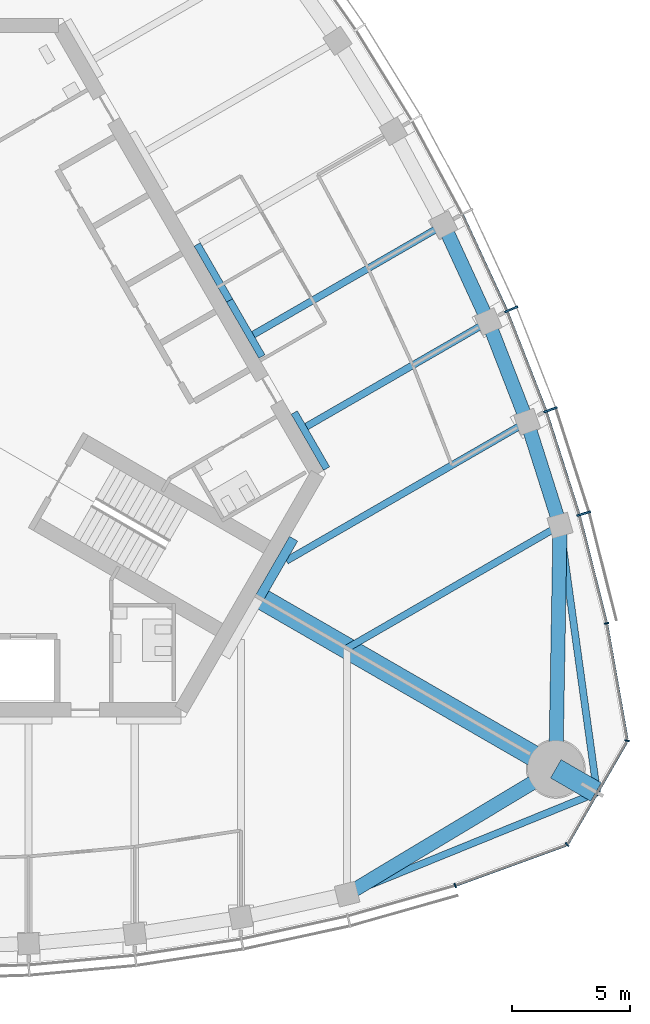
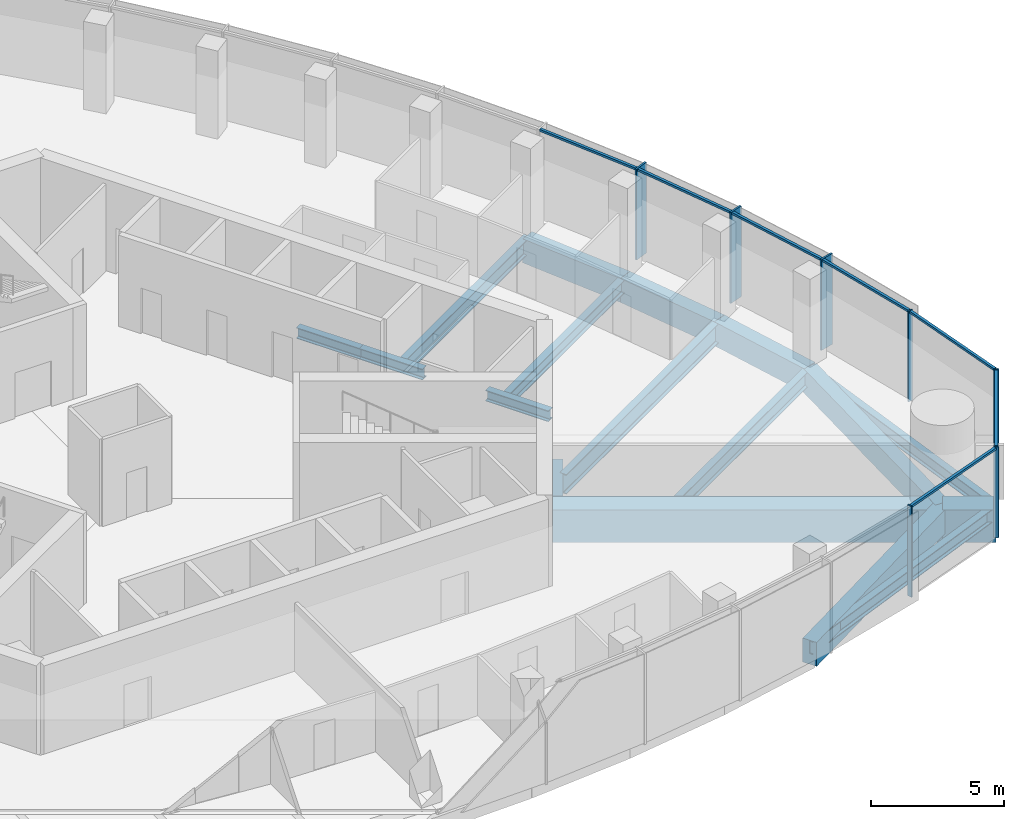
# One storey, part 4 of 16: 17 beams, 14 members, 2 elements without a shape of their own.
"""IFC4 building model written with IfcOpenShell, lengths in metres."""

import ifcopenshell
import ifcopenshell.guid

model = None  # the IFC model being written
_history = None  # IfcOwnerHistory: only IFC2X3 demands one
_inside = {}  # id of a spatial element -> (the spatial element, [elements in it])
_under = {}  # id of a project, library or spatial element -> (it, [spatial elements below it])
_declared = {}  # id of a project -> (the project, [libraries it declares])
_typed = {}  # id of a type object -> (the type object, [elements of that type])
_made_of = {}  # id of a material, layer set ... -> (it, [elements and type objects made of it])


def new_model(schema):
    """Start an empty IFC model of exactly this schema.

    Asked for "IFC4X3", IfcOpenShell would pick the latest addendum, in which some entities
    have other attributes; the version numbers below select the first issue.
    IFC2X3 requires an IfcOwnerHistory on every rooted entity: one is made here for all.
    """
    global model, _history
    if schema == "IFC4X3":
        model = ifcopenshell.file(schema_version=(4, 3, 0, 0))
    else:
        model = ifcopenshell.file(schema=schema)
    _inside.clear()
    _under.clear()
    _declared.clear()
    _typed.clear()
    _made_of.clear()
    _history = None
    if model.schema == "IFC2X3":
        org = make("IfcOrganization", Name="unknown")
        user = make(
            "IfcPersonAndOrganization",
            ThePerson=make("IfcPerson", FamilyName="unknown"),
            TheOrganization=org,
        )
        app = make(
            "IfcApplication",
            ApplicationDeveloper=org,
            Version="unknown",
            ApplicationFullName="unknown",
            ApplicationIdentifier="unknown",
        )
        _history = make(
            "IfcOwnerHistory",
            OwningUser=user,
            OwningApplication=app,
            ChangeAction="ADDED",
            CreationDate=0,
        )
    return model


def make(cls, **values):
    """One entity of the class cls with the attributes given. An attribute that is None is left unset."""
    return model.create_entity(
        cls, **{name: value for name, value in values.items() if value is not None}
    )


def rooted(cls, **values):
    """An entity with a GlobalId (a new one), such as an element, a storey or a relation."""
    return make(cls, GlobalId=ifcopenshell.guid.new(), OwnerHistory=_history, **values)


def si_unit(unit_type, name, prefix=None):
    """IfcSIUnit, for example si_unit("LENGTHUNIT", "METRE", prefix="MILLI")."""
    return make("IfcSIUnit", UnitType=unit_type, Prefix=prefix, Name=name)


def assignment(units):
    """IfcUnitAssignment: the units of a project."""
    return None if units is None else make("IfcUnitAssignment", Units=units)


def point(xyz):
    """IfcCartesianPoint."""
    return None if xyz is None else make("IfcCartesianPoint", Coordinates=xyz)


def direction(xyz):
    """IfcDirection."""
    return None if xyz is None else make("IfcDirection", DirectionRatios=xyz)


def frame(location, z_axis=None, x_axis=None):
    """IfcAxis2Placement3D, a coordinate frame: its origin and axes. An axis left out is left unset."""
    return make(
        "IfcAxis2Placement3D",
        Location=point(location),
        Axis=direction(z_axis),
        RefDirection=direction(x_axis),
    )


def frame_2d(location, x_axis=None):
    """IfcAxis2Placement2D, a coordinate frame in the plane: its origin and x axis."""
    return make(
        "IfcAxis2Placement2D", Location=point(location), RefDirection=direction(x_axis)
    )


def origin():
    """The frame at (0, 0, 0) with its axes left unset."""
    return frame((0.0, 0.0, 0.0))


def origin_2d():
    """The frame at (0, 0) in the plane with its x axis left unset."""
    return frame_2d((0.0, 0.0))


def place(relative_to, where):
    """IfcLocalPlacement: puts the frame where relative to a parent placement (None: the world)."""
    return make(
        "IfcLocalPlacement", PlacementRelTo=relative_to, RelativePlacement=where
    )


def context(
    kind, dimensions, precision=None, world=None, true_north=None, identifier=None
):
    """IfcGeometricRepresentationContext, for example the 3D "Model" context."""
    return make(
        "IfcGeometricRepresentationContext",
        ContextIdentifier=identifier,
        ContextType=kind,
        CoordinateSpaceDimension=dimensions,
        Precision=precision,
        WorldCoordinateSystem=world,
        TrueNorth=true_north,
    )


def subcontext(parent, identifier, kind, view, scale=None):
    """IfcGeometricRepresentationSubContext, for example "Body" below "Model"."""
    return make(
        "IfcGeometricRepresentationSubContext",
        ContextIdentifier=identifier,
        ContextType=kind,
        ParentContext=parent,
        TargetScale=scale,
        TargetView=view,
    )


def project(units=None, contexts=None):
    """IfcProject with its units and contexts."""
    return rooted(
        "IfcProject",
        Name="project",
        RepresentationContexts=contexts,
        UnitsInContext=assignment(units),
    )


def spatial(cls, under=None, at=None, **own):
    """A site, building, storey or space (cls), placed at a placement, below another one or the project."""
    s = rooted(cls, ObjectPlacement=at, **own)
    if under is not None:
        _under.setdefault(under.id(), (under, []))[1].append(s)
    return s


def profile(cls, at=None, kind="AREA", **sizes):
    """A parametric profile (cls). Its sizes go by their IFC names, for example OverallWidth=200.0."""
    return make(cls, ProfileType=kind, Position=at, **sizes)


def rectangle(**sizes):
    """IfcRectangleProfileDef."""
    return profile("IfcRectangleProfileDef", **sizes)


def i_section(**sizes):
    """IfcIShapeProfileDef."""
    return profile("IfcIShapeProfileDef", **sizes)


def extrude(swept, where, along, depth):
    """IfcExtrudedAreaSolid: the profile swept, set in the frame where, extruded along a direction by depth."""
    return make(
        "IfcExtrudedAreaSolid",
        SweptArea=swept,
        Position=where,
        ExtrudedDirection=direction(along),
        Depth=depth,
    )


def shape(context_of_items, identifier, shape_type, items):
    """IfcShapeRepresentation: the items that make up one representation, for example the "Body"."""
    return make(
        "IfcShapeRepresentation",
        ContextOfItems=context_of_items,
        RepresentationIdentifier=identifier,
        RepresentationType=shape_type,
        Items=items,
    )


def material(Name=None, Category=None):
    """IfcMaterial."""
    return make("IfcMaterial", Name=Name, Category=Category)


def material_profile(
    of_material, cross_section, Name=None, Category=None, Priority=None
):
    """IfcMaterialProfile: a cross section and its material."""
    return make(
        "IfcMaterialProfile",
        Name=Name,
        Material=of_material,
        Profile=cross_section,
        Priority=Priority,
        Category=Category,
    )


def profile_set(profiles, Name=None, composite=None):
    """IfcMaterialProfileSet."""
    return make(
        "IfcMaterialProfileSet",
        Name=Name,
        MaterialProfiles=profiles,
        CompositeProfile=composite,
    )


def made_of(thing, what):
    """Note that an element or type object is made of a material, layer set ...; save() writes the relation."""
    if what is not None:
        _made_of.setdefault(what.id(), (what, []))[1].append(thing)
    return thing


def type_object(cls, material=None, **own):
    """A type object (cls), such as IfcWallType, which elements share."""
    return made_of(rooted(cls, **own), material)


def element(
    cls,
    number,
    at=None,
    inside=None,
    cuts=None,
    type_object=None,
    material=None,
    context=None,
    identifier="Body",
    shape_type=None,
    held_by="IfcProductDefinitionShape",
    body=None,
    shapes=None,
    **own,
):
    """One element of the class cls, such as IfcWall. Its Tag is "e" and its number.

    at: its placement. inside: the storey or other place that contains it. cuts: it is an
    opening in that element (IfcRelVoidsElement). A single representation is given by context,
    identifier, shape_type and body (its items); several are given by shapes. held_by: the class
    of the entity that holds the representations. save() writes the other relations.
    """
    e = rooted(cls, Tag="e%d" % number, ObjectPlacement=at, **own)
    if body is not None:
        shapes = [shape(context, identifier, shape_type, body)]
    if shapes is not None:
        e.Representation = make(held_by, Representations=shapes)
    if inside is not None:
        _inside.setdefault(inside.id(), (inside, []))[1].append(e)
    if cuts is not None:
        rooted(
            "IfcRelVoidsElement", RelatingBuildingElement=cuts, RelatedOpeningElement=e
        )
    if type_object is not None:
        _typed.setdefault(type_object.id(), (type_object, []))[1].append(e)
    return made_of(e, material)


def aggregate(whole, parts):
    """IfcRelAggregates: a whole, such as a stair, and the parts it consists of."""
    return rooted("IfcRelAggregates", RelatingObject=whole, RelatedObjects=parts)


def save(model, path):
    """Write the relations noted so far, then the file.

    IfcRelAggregates (storeys below a building ...), IfcRelContainedInSpatialStructure (elements
    in a storey), IfcRelDefinesByType, IfcRelAssociatesMaterial and IfcRelDeclares: one each for
    every whole, place, type object, material and project.
    """
    for whole, parts in _under.values():
        aggregate(whole, parts)
    for where, things in _inside.values():
        rooted(
            "IfcRelContainedInSpatialStructure",
            RelatedElements=things,
            RelatingStructure=where,
        )
    for kind, things in _typed.values():
        rooted("IfcRelDefinesByType", RelatedObjects=things, RelatingType=kind)
    for what, things in _made_of.values():
        rooted("IfcRelAssociatesMaterial", RelatedObjects=things, RelatingMaterial=what)
    for by, libraries in _declared.values():
        rooted("IfcRelDeclares", RelatingContext=by, RelatedDefinitions=libraries)
    model.write(path)


model = new_model("IFC4")

# Units and contexts
model_context = context("Model", 3, precision=1e-05, world=origin(), true_north=direction((0.0, 1.0)))
body_context = subcontext(model_context, "Body", "Model", "MODEL_VIEW")
ifc_project = project(units=[si_unit("LENGTHUNIT", "METRE"), si_unit("AREAUNIT", "SQUARE_METRE"), si_unit("VOLUMEUNIT", "CUBIC_METRE"), si_unit("PLANEANGLEUNIT", "RADIAN"), si_unit("MASSUNIT", "GRAM", prefix="KILO")], contexts=[model_context])

# Site, building, storey
site_placement = place(None, origin())
site = spatial("IfcSite", under=ifc_project, at=site_placement, CompositionType="ELEMENT")
building_placement = place(site_placement, origin())
building = spatial("IfcBuilding", under=site, at=building_placement, Name="Trefoil Bronze Tower", CompositionType="ELEMENT")
storey_placement = place(building_placement, frame((0.0, 0.0, 305.699951171875)))
storey = spatial("IfcBuildingStorey", under=building, at=storey_placement, Name="L70", CompositionType="ELEMENT", Elevation=305.699951171875)

# Curtain wall, members
ifc_material_1 = material(Name="Tinted solar-control glass", Category="glass")
curtain_wall_type_1 = type_object("IfcCurtainWallType", Name="Bronze office curtain wall", PredefinedType="USERDEFINED", material=ifc_material_1)
curtain_wall_1_placement = place(storey_placement, origin())
curtain_wall_1 = element("IfcCurtainWall", 1, at=curtain_wall_1_placement, inside=storey, type_object=curtain_wall_type_1, Name="CW-A L70 F2", ObjectType="CURTAIN WALL", PredefinedType="USERDEFINED")
ifc_material_2 = material(Name="Bronze-finish aluminium", Category="aluminium")
ifc_material_profile_1 = material_profile(ifc_material_2, rectangle(XDim=0.60009765625, YDim=0.080078125, at=origin_2d()), Name="CW-A mullion")
ifc_profile_set_1 = profile_set([ifc_material_profile_1], Name="Bronze-finish aluminium")
member_type_1 = type_object("IfcMemberType", Name="Bronze office curtain wall mullion", PredefinedType="MULLION", material=ifc_profile_set_1)
member_1_placement = place(storey_placement, frame((28.02978515625, -4.685546875, 0.0), z_axis=(0.0, 0.0, 1.0), x_axis=(-0.961395843746, -0.275169096426, 0.0)))
member_1 = element("IfcMember", 2, at=member_1_placement, type_object=member_type_1, Name="CW-A L70 F2 mullion 2", PredefinedType="MULLION", context=body_context, shape_type="SweptSolid", body=[
    extrude(rectangle(XDim=0.60009765625, YDim=0.080078125, at=origin_2d()), origin(), (0.0, 0.0, 1.0), 4.179931640625),
])
member_2_placement = place(storey_placement, frame((26.618896484375, -0.282958984375, 0.0), z_axis=(0.0, 0.0, 1.0), x_axis=(-0.942448408407, -0.334351607581, 0.0)))
member_2 = element("IfcMember", 3, at=member_2_placement, type_object=member_type_1, Name="CW-A L70 F2 mullion 3", PredefinedType="MULLION", context=body_context, shape_type="SweptSolid", body=[
    extrude(rectangle(XDim=0.60009765625, YDim=0.080078125, at=origin_2d()), origin(), (0.0, 0.0, 1.0), 4.179931640625),
])
member_3_placement = place(storey_placement, frame((24.958984375, 3.975830078125, 0.0), z_axis=(0.0, 0.0, 1.0), x_axis=(-0.920205407004, -0.391435829888, 0.0)))
member_3 = element("IfcMember", 4, at=member_3_placement, type_object=member_type_1, Name="CW-A L70 F2 mullion 4", PredefinedType="MULLION", context=body_context, shape_type="SweptSolid", body=[
    extrude(rectangle(XDim=0.60009765625, YDim=0.080078125, at=origin_2d()), origin(), (0.0, 0.0, 1.0), 4.179931640625),
])
ifc_material_3 = material(Name="Bronze-finish aluminium", Category="aluminium")
ifc_material_profile_2 = material_profile(ifc_material_3, rectangle(XDim=0.1201171875, YDim=0.10009765625, at=origin_2d()), Name="CW-A transom")
ifc_profile_set_2 = profile_set([ifc_material_profile_2], Name="Bronze-finish aluminium")
member_type_2 = type_object("IfcMemberType", Name="Bronze office curtain wall transom", PredefinedType="USERDEFINED", material=ifc_profile_set_2)
member_4_placement = place(storey_placement, frame((28.986328125, -9.288330078125, 4.130126953125), z_axis=(-0.244908148095, 0.969546285123, 0.0), x_axis=(-0.969546285123, -0.244908148095, 0.0)))
member_4 = element("IfcMember", 5, at=member_4_placement, type_object=member_type_2, Name="CW-A L70 F2 transom 1", ObjectType="TRANSOM", PredefinedType="USERDEFINED", context=body_context, shape_type="SweptSolid", body=[
    extrude(rectangle(XDim=0.1201171875, YDim=0.10009765625, at=origin_2d()), origin(), (0.0, 0.0, 1.0), 4.6474609375),
])
member_5_placement = place(storey_placement, frame((27.824462890625, -4.699462890625, 4.130126953125), z_axis=(-0.305198606794, 0.95228872219, 0.0), x_axis=(-0.95228872219, -0.305198606794, 0.0)))
member_5 = element("IfcMember", 6, at=member_5_placement, type_object=member_type_2, Name="CW-A L70 F2 transom 2", ObjectType="TRANSOM", PredefinedType="USERDEFINED", context=body_context, shape_type="SweptSolid", body=[
    extrude(rectangle(XDim=0.1201171875, YDim=0.10009765625, at=origin_2d()), origin(), (0.0, 0.0, 1.0), 4.5244140625),
])
member_6_placement = place(storey_placement, frame((26.414794921875, -0.3095703125, 4.130126953125), z_axis=(-0.363178486404, 0.931719586042, 0.0), x_axis=(-0.931719586042, -0.363178486404, 0.0)))
member_6 = element("IfcMember", 7, at=member_6_placement, type_object=member_type_2, Name="CW-A L70 F2 transom 3", ObjectType="TRANSOM", PredefinedType="USERDEFINED", context=body_context, shape_type="SweptSolid", body=[
    extrude(rectangle(XDim=0.1201171875, YDim=0.10009765625, at=origin_2d()), origin(), (0.0, 0.0, 1.0), 4.472412109375),
])
member_7_placement = place(storey_placement, frame((24.7568359375, 3.9365234375, 4.130126953125), z_axis=(-0.4192988407, 0.907848270466, 0.0), x_axis=(-0.907848270466, -0.4192988407, 0.0)))
member_7 = element("IfcMember", 8, at=member_7_placement, type_object=member_type_2, Name="CW-A L70 F2 transom 4", ObjectType="TRANSOM", PredefinedType="USERDEFINED", context=body_context, shape_type="SweptSolid", body=[
    extrude(rectangle(XDim=0.1201171875, YDim=0.10009765625, at=origin_2d()), origin(), (0.0, 0.0, 1.0), 4.4384765625),
])
aggregate(curtain_wall_1, [member_1, member_2, member_3, member_4, member_5, member_6, member_7])

ifc_material_4 = material(Name="Tinted solar-control glass", Category="glass")
curtain_wall_type_2 = type_object("IfcCurtainWallType", Name="Bronze rounded corner curtain wall", PredefinedType="USERDEFINED", material=ifc_material_4)
curtain_wall_2_placement = place(storey_placement, origin())
curtain_wall_2 = element("IfcCurtainWall", 9, at=curtain_wall_2_placement, inside=storey, type_object=curtain_wall_type_2, Name="CW-B L70 K1", ObjectType="CURTAIN WALL", PredefinedType="USERDEFINED")
ifc_material_5 = material(Name="Bronze-finish aluminium", Category="aluminium")
ifc_material_profile_3 = material_profile(ifc_material_5, rectangle(XDim=0.199951171875, YDim=0.06005859375, at=origin_2d()), Name="CW-B mullion")
ifc_profile_set_3 = profile_set([ifc_material_profile_3], Name="Bronze-finish aluminium")
member_type_3 = type_object("IfcMemberType", Name="Bronze rounded corner curtain wall mullion", PredefinedType="MULLION", material=ifc_profile_set_3)
member_8_placement = place(storey_placement, frame((22.58251953125, -20.445556640625, 0.0), z_axis=(0.0, 0.0, 1.0), x_axis=(-0.342020143326, 0.939692620786, 0.0)))
member_8 = element("IfcMember", 10, at=member_8_placement, type_object=member_type_3, Name="CW-B L70 K1 mullion 1", PredefinedType="MULLION", context=body_context, shape_type="SweptSolid", body=[
    extrude(rectangle(XDim=0.199951171875, YDim=0.06005859375, at=origin_2d()), origin(), (0.0, 0.0, 1.0), 4.179931640625),
])
member_9_placement = place(storey_placement, frame((27.326416015625, -18.712646484375, 0.0), z_axis=(0.0, 0.0, 1.0), x_axis=(-0.642787609687, 0.766044443119, 0.0)))
member_9 = element("IfcMember", 11, at=member_9_placement, type_object=member_type_3, Name="CW-B L70 K1 mullion 2", PredefinedType="MULLION", context=body_context, shape_type="SweptSolid", body=[
    extrude(rectangle(XDim=0.199951171875, YDim=0.06005859375, at=origin_2d()), origin(), (0.0, 0.0, 1.0), 4.179931640625),
])
member_10_placement = place(storey_placement, frame((29.86865234375, -14.30908203125, 0.0), z_axis=(0.0, 0.0, 1.0), x_axis=(-0.984807753012, 0.173648177667, 0.0)))
member_10 = element("IfcMember", 12, at=member_10_placement, type_object=member_type_3, Name="CW-B L70 K1 mullion 3", PredefinedType="MULLION", context=body_context, shape_type="SweptSolid", body=[
    extrude(rectangle(XDim=0.199951171875, YDim=0.06005859375, at=origin_2d()), origin(), (0.0, 0.0, 1.0), 4.179931640625),
])
member_11_placement = place(storey_placement, frame((28.99755859375, -9.334228515625, 0.0), z_axis=(0.0, 0.0, 1.0), x_axis=(-0.984807753012, -0.173648177667, 0.0)))
member_11 = element("IfcMember", 13, at=member_11_placement, type_object=member_type_3, Name="CW-B L70 K1 mullion 4", PredefinedType="MULLION", context=body_context, shape_type="SweptSolid", body=[
    extrude(rectangle(XDim=0.199951171875, YDim=0.06005859375, at=origin_2d()), origin(), (0.0, 0.0, 1.0), 4.179931640625),
])
ifc_material_6 = material(Name="Bronze-finish aluminium", Category="aluminium")
ifc_material_profile_4 = material_profile(ifc_material_6, rectangle(XDim=0.1201171875, YDim=0.10009765625, at=origin_2d()), Name="CW-B transom")
ifc_profile_set_4 = profile_set([ifc_material_profile_4], Name="Bronze-finish aluminium")
member_type_4 = type_object("IfcMemberType", Name="Bronze rounded corner curtain wall transom", PredefinedType="USERDEFINED", material=ifc_profile_set_4)
member_12_placement = place(storey_placement, frame((22.610595703125, -20.435302734375, 4.130126953125), z_axis=(0.93969990549, 0.342000128103, 0.0), x_axis=(-0.342000128103, 0.93969990549, 0.0)))
member_12 = element("IfcMember", 14, at=member_12_placement, type_object=member_type_4, Name="CW-B L70 K1 transom 1", ObjectType="TRANSOM", PredefinedType="USERDEFINED", context=body_context, shape_type="SweptSolid", body=[
    extrude(rectangle(XDim=0.1201171875, YDim=0.10009765625, at=origin_2d()), origin(), (0.0, 0.0, 1.0), 4.956298828125),
])
member_13_placement = place(storey_placement, frame((27.36376953125, -18.659912109375, 4.130126953125), z_axis=(0.499985403706, 0.866033830794, 0.0), x_axis=(-0.866033830794, 0.499985403706, 0.0)))
member_13 = element("IfcMember", 15, at=member_13_placement, type_object=member_type_4, Name="CW-B L70 K1 transom 2", ObjectType="TRANSOM", PredefinedType="USERDEFINED", context=body_context, shape_type="SweptSolid", body=[
    extrude(rectangle(XDim=0.1201171875, YDim=0.10009765625, at=origin_2d()), origin(), (0.0, 0.0, 1.0), 4.956298828125),
])
member_14_placement = place(storey_placement, frame((29.863525390625, -14.244873046875, 4.130126953125), z_axis=(-0.173633591509, 0.984810324834, 0.0), x_axis=(-0.984810324834, -0.173633591509, 0.0)))
member_14 = element("IfcMember", 16, at=member_14_placement, type_object=member_type_4, Name="CW-B L70 K1 transom 3", ObjectType="TRANSOM", PredefinedType="USERDEFINED", context=body_context, shape_type="SweptSolid", body=[
    extrude(rectangle(XDim=0.1201171875, YDim=0.10009765625, at=origin_2d()), origin(), (0.0, 0.0, 1.0), 4.956298828125),
])
aggregate(curtain_wall_2, [member_8, member_9, member_10, member_11, member_12, member_13, member_14])

# Beams
ifc_material_7 = material(Name="Steel C355", Category="steel")
ifc_material_profile_5 = material_profile(ifc_material_7, i_section(OverallWidth=0.300048828125, OverallDepth=0.5, WebThickness=0.014404296875, FlangeThickness=0.028076171875, FilletRadius=0.027099609375, at=origin_2d()), Name="HEB 500")
ifc_profile_set_5 = profile_set([ifc_material_profile_5], Name="Steel C355")
beam_type_1 = type_object("IfcBeamType", Name="Core seat beam HEB 500", PredefinedType="BEAM", material=ifc_profile_set_5)
for number, where, z_axis, x_axis, name in (
    (17, (17.1328125, -2.77490234375, -0.449951171875), (-0.499969057507, 0.866043267704, 0.0), (-0.866043267704, -0.499969057507, 0.0), "Core seat beam F2/-2 L70"),
    (18, (14.390380859375, 1.97509765625, -0.449951171875), (-0.499969057507, 0.866043267704, 0.0), (-0.866043267704, -0.499969057507, 0.0), "Core seat beam F2/-1 L70"),
    (19, (13.019287109375, 4.35009765625, -0.449951171875), (-0.500035825175, 0.866004719122, 0.0), (-0.866004719122, -0.500035825175, 0.0), "Core seat beam F2/+0 L70"),
):
    element("IfcBeam", number, at=place(storey_placement, frame(where, z_axis=z_axis, x_axis=x_axis)), inside=storey, type_object=beam_type_1, Name=name, PredefinedType="BEAM", context=body_context, shape_type="SweptSolid", body=[
        extrude(i_section(OverallWidth=0.300048828125, OverallDepth=0.5, WebThickness=0.014404296875, FlangeThickness=0.028076171875, FilletRadius=0.027099609375, at=origin_2d()), origin(), (0.0, 0.0, 1.0), 2.742431640625),
    ])
ifc_material_8 = material(Name="Steel C355", Category="steel")
ifc_material_profile_6 = material_profile(ifc_material_8, i_section(OverallWidth=0.39990234375, OverallDepth=1.199951171875, WebThickness=0.02001953125, FlangeThickness=0.0400390625, FilletRadius=0.010009765625, at=origin_2d()), Name="WPG 1200")
ifc_profile_set_6 = profile_set([ifc_material_profile_6], Name="Steel C355")
beam_type_2 = type_object("IfcBeamType", Name="Core seat beam WPG 1200", PredefinedType="BEAM", material=ifc_profile_set_6)
beam_1_placement = place(storey_placement, frame((14.289306640625, -8.25, -0.800048828125), z_axis=(0.500059191753, 0.865991226713, 0.0), x_axis=(-0.865991226713, 0.500059191753, 0.0)))
element("IfcBeam", 20, at=beam_1_placement, inside=storey, type_object=beam_type_2, Name="Core seat beam F2/-3 L70", PredefinedType="BEAM", context=body_context, shape_type="SweptSolid", body=[
    extrude(i_section(OverallWidth=0.39990234375, OverallDepth=1.199951171875, WebThickness=0.02001953125, FlangeThickness=0.0400390625, FilletRadius=0.010009765625, at=origin_2d()), origin(), (0.0, 0.0, 1.0), 2.886962890625),
])
ifc_material_9 = material(Name="Concrete B80", Category="concrete")
ifc_material_profile_7 = material_profile(ifc_material_9, rectangle(XDim=0.89990234375, YDim=1.5, at=origin_2d()), Name="RC 900x1500")
ifc_profile_set_7 = profile_set([ifc_material_profile_7], Name="Concrete B80")
beam_type_3 = type_object("IfcBeamType", Name="Corner cantilever RC 900x1500", PredefinedType="BEAM", material=ifc_profile_set_7)
beam_2_placement = place(storey_placement, frame((26.8466796875, -15.5, -0.949951171875), z_axis=(0.866010470582, -0.500025864173, 0.0), x_axis=(0.500025864173, 0.866010470582, 0.0)))
element("IfcBeam", 21, at=beam_2_placement, inside=storey, type_object=beam_type_3, Name="Corner cantilever K1 L70", PredefinedType="BEAM", context=body_context, shape_type="SweptSolid", body=[
    extrude(rectangle(XDim=0.89990234375, YDim=1.5, at=origin_2d()), origin(), (0.0, 0.0, 1.0), 2.02001953125),
])
ifc_material_10 = material(Name="Steel C355", Category="steel")
ifc_material_profile_8 = material_profile(ifc_material_10, i_section(OverallWidth=0.300048828125, OverallDepth=0.60009765625, WebThickness=0.015380859375, FlangeThickness=0.030029296875, FilletRadius=0.027099609375, at=origin_2d()), Name="HEB 600")
ifc_profile_set_8 = profile_set([ifc_material_profile_8], Name="Steel C355")
beam_type_4 = type_object("IfcBeamType", Name="Corner edge beam HEB 600", PredefinedType="BEAM", material=ifc_profile_set_8)
beam_3_placement = place(storey_placement, frame((18.0, -20.816162109375, -0.5), z_axis=(0.926419351914, 0.376493272714, 0.0), x_axis=(-0.376493272714, 0.926419351914, 0.0)))
element("IfcBeam", 22, at=beam_3_placement, inside=storey, type_object=beam_type_4, Name="Corner edge beam F1A L70", PredefinedType="BEAM", context=body_context, shape_type="SweptSolid", body=[
    extrude(i_section(OverallWidth=0.300048828125, OverallDepth=0.60009765625, WebThickness=0.015380859375, FlangeThickness=0.030029296875, FilletRadius=0.027099609375, at=origin_2d()), origin(), (0.0, 0.0, 1.0), 11.4375),
])
beam_4_placement = place(storey_placement, frame((27.02734375, -5.180419921875, -0.5), z_axis=(0.137143714313, -0.990551160529, 0.0), x_axis=(0.990551160529, 0.137143714313, 0.0)))
element("IfcBeam", 23, at=beam_4_placement, inside=storey, type_object=beam_type_4, Name="Corner edge beam F2B L70", PredefinedType="BEAM", context=body_context, shape_type="SweptSolid", body=[
    extrude(i_section(OverallWidth=0.300048828125, OverallDepth=0.60009765625, WebThickness=0.015380859375, FlangeThickness=0.030029296875, FilletRadius=0.027099609375, at=origin_2d()), origin(), (0.0, 0.0, 1.0), 11.437744140625),
])
ifc_material_11 = material(Name="Concrete B80", Category="concrete")
ifc_material_profile_9 = material_profile(ifc_material_11, rectangle(XDim=0.89990234375, YDim=1.5, at=origin_2d()), Name="RC 900x1500")
ifc_profile_set_9 = profile_set([ifc_material_profile_9], Name="Concrete B80")
beam_type_5 = type_object("IfcBeamType", Name="Corner girder RC 900x1500", PredefinedType="BEAM", material=ifc_profile_set_9)
beam_5_placement = place(storey_placement, frame((14.1162109375, -8.14990234375, -0.949951171875), z_axis=(0.86602074674, -0.500008066151, 0.0), x_axis=(0.500008066151, 0.86602074674, 0.0)))
element("IfcBeam", 24, at=beam_5_placement, inside=storey, type_object=beam_type_5, Name="Corner girder K1 L70", PredefinedType="BEAM", context=body_context, shape_type="SweptSolid", body=[
    extrude(rectangle(XDim=0.89990234375, YDim=1.5, at=origin_2d()), origin(), (0.0, 0.0, 1.0), 14.699951171875),
])
ifc_material_12 = material(Name="Concrete B80", Category="concrete")
ifc_material_profile_10 = material_profile(ifc_material_12, rectangle(XDim=0.60009765625, YDim=1.10009765625, at=origin_2d()), Name="RC 600x1100")
ifc_profile_set_10 = profile_set([ifc_material_profile_10], Name="Concrete B80")
beam_type_6 = type_object("IfcBeamType", Name="End spandrel beam RC 600x1100", PredefinedType="SPANDREL", material=ifc_profile_set_10)
for number, where, z_axis, x_axis, name in (
    (25, (18.0, -20.816162109375, -0.75), (0.857144173035, 0.515076563855, 0.0), (-0.515076563855, 0.857144173035, 0.0), "Spandrel F1.10 L70"),
    (26, (26.8466796875, -15.5, -0.75), (0.017504237714, 0.999846789094, 0.0), (-0.999846789094, 0.017504237714, 0.0), "Spandrel F2.1 L70"),
):
    element("IfcBeam", number, at=place(storey_placement, frame(where, z_axis=z_axis, x_axis=x_axis)), inside=storey, type_object=beam_type_6, Name=name, PredefinedType="SPANDREL", context=body_context, shape_type="SweptSolid", body=[
        extrude(rectangle(XDim=0.60009765625, YDim=1.10009765625, at=origin_2d()), origin(), (0.0, 0.0, 1.0), 10.321044921875),
    ])
ifc_material_13 = material(Name="Steel C355", Category="steel")
ifc_material_profile_11 = material_profile(ifc_material_13, i_section(OverallWidth=0.300048828125, OverallDepth=0.60009765625, WebThickness=0.015380859375, FlangeThickness=0.030029296875, FilletRadius=0.027099609375, at=origin_2d()), Name="HEB 600")
ifc_profile_set_11 = profile_set([ifc_material_profile_11], Name="Steel C355")
beam_type_7 = type_object("IfcBeamType", Name="Floor beam HEB 600", PredefinedType="BEAM", material=ifc_profile_set_11)
beam_6_placement = place(storey_placement, frame((23.98486328125, 3.455322265625, -0.5), z_axis=(-0.866034827411, -0.499983677445, 0.0), x_axis=(0.499983677445, -0.866034827411, 0.0)))
element("IfcBeam", 27, at=beam_6_placement, inside=storey, type_object=beam_type_7, Name="Floor beam F2/-2 L70", PredefinedType="BEAM", context=body_context, shape_type="SweptSolid", body=[
    extrude(i_section(OverallWidth=0.300048828125, OverallDepth=0.60009765625, WebThickness=0.015380859375, FlangeThickness=0.030029296875, FilletRadius=0.027099609375, at=origin_2d()), origin(), (0.0, 0.0, 1.0), 8.899169921875),
])
ifc_material_14 = material(Name="Steel C355", Category="steel")
ifc_material_profile_12 = material_profile(ifc_material_14, i_section(OverallWidth=0.300048828125, OverallDepth=0.699951171875, WebThickness=0.01708984375, FlangeThickness=0.031982421875, FilletRadius=0.027099609375, at=origin_2d()), Name="HEB 700")
ifc_profile_set_12 = profile_set([ifc_material_profile_12], Name="Steel C355")
beam_type_8 = type_object("IfcBeamType", Name="Floor beam HEB 700", PredefinedType="BEAM", material=ifc_profile_set_12)
beam_7_placement = place(storey_placement, frame((27.02734375, -5.180419921875, -0.550048828125), z_axis=(-0.866026453994, -0.499998180979, 0.0), x_axis=(0.499998180979, -0.866026453994, 0.0)))
element("IfcBeam", 28, at=beam_7_placement, inside=storey, type_object=beam_type_8, Name="Floor beam F2/-4 L70", PredefinedType="BEAM", context=body_context, shape_type="SweptSolid", body=[
    extrude(i_section(OverallWidth=0.300048828125, OverallDepth=0.699951171875, WebThickness=0.01708984375, FlangeThickness=0.031982421875, FilletRadius=0.027099609375, at=origin_2d()), origin(), (0.0, 0.0, 1.0), 10.423828125),
])
beam_8_placement = place(storey_placement, frame((22.093994140625, 7.559814453125, -0.550048828125), z_axis=(-0.866026261222, -0.499998514871, 0.0), x_axis=(0.499998514871, -0.866026261222, 0.0)))
element("IfcBeam", 29, at=beam_8_placement, inside=storey, type_object=beam_type_8, Name="Floor beam F2/-1 L70", PredefinedType="BEAM", context=body_context, shape_type="SweptSolid", body=[
    extrude(i_section(OverallWidth=0.300048828125, OverallDepth=0.699951171875, WebThickness=0.01708984375, FlangeThickness=0.031982421875, FilletRadius=0.027099609375, at=origin_2d()), origin(), (0.0, 0.0, 1.0), 9.31396484375),
])
ifc_material_15 = material(Name="Steel C355", Category="steel")
ifc_material_profile_13 = material_profile(ifc_material_15, i_section(OverallWidth=0.300048828125, OverallDepth=0.89990234375, WebThickness=0.0185546875, FlangeThickness=0.034912109375, FilletRadius=0.030029296875, at=origin_2d()), Name="HEB 900")
ifc_profile_set_13 = profile_set([ifc_material_profile_13], Name="Steel C355")
beam_type_9 = type_object("IfcBeamType", Name="Floor beam HEB 900", PredefinedType="BEAM", material=ifc_profile_set_13)
beam_9_placement = place(storey_placement, frame((25.631591796875, -0.7900390625, -0.64990234375), z_axis=(-0.866026552003, -0.499998011222, 0.0), x_axis=(0.499998011222, -0.866026552003, 0.0)))
element("IfcBeam", 30, at=beam_9_placement, inside=storey, type_object=beam_type_9, Name="Floor beam F2/-3 L70", PredefinedType="BEAM", context=body_context, shape_type="SweptSolid", body=[
    extrude(i_section(OverallWidth=0.300048828125, OverallDepth=0.89990234375, WebThickness=0.0185546875, FlangeThickness=0.034912109375, FilletRadius=0.030029296875, at=origin_2d()), origin(), (0.0, 0.0, 1.0), 11.78515625),
])
ifc_material_16 = material(Name="Concrete B80", Category="concrete")
ifc_material_profile_14 = material_profile(ifc_material_16, rectangle(XDim=0.60009765625, YDim=1.10009765625, at=origin_2d()), Name="RC 600x1100")
ifc_profile_set_14 = profile_set([ifc_material_profile_14], Name="Concrete B80")
beam_type_10 = type_object("IfcBeamType", Name="Spandrel beam RC 600x1100", PredefinedType="SPANDREL", material=ifc_profile_set_14)
beam_10_placement = place(storey_placement, frame((27.02734375, -5.180419921875, -0.75), z_axis=(-0.302969597344, 0.953000221975, 0.0), x_axis=(-0.953000221975, -0.302969597344, 0.0)))
element("IfcBeam", 31, at=beam_10_placement, inside=storey, type_object=beam_type_10, Name="Spandrel F2.2 L70", PredefinedType="SPANDREL", context=body_context, shape_type="SweptSolid", body=[
    extrude(rectangle(XDim=0.60009765625, YDim=1.10009765625, at=origin_2d()), origin(), (0.0, 0.0, 1.0), 4.60693359375),
])
beam_11_placement = place(storey_placement, frame((25.631591796875, -0.7900390625, -0.75), z_axis=(-0.361636286502, 0.932319256631, 0.0), x_axis=(-0.932319256631, -0.361636286502, 0.0)))
element("IfcBeam", 32, at=beam_11_placement, inside=storey, type_object=beam_type_10, Name="Spandrel F2.3 L70", PredefinedType="SPANDREL", context=body_context, shape_type="SweptSolid", body=[
    extrude(rectangle(XDim=0.60009765625, YDim=1.10009765625, at=origin_2d()), origin(), (0.0, 0.0, 1.0), 4.553466796875),
])
beam_12_placement = place(storey_placement, frame((23.98486328125, 3.455322265625, -0.75), z_axis=(-0.418417425199, 0.90825484215, 0.0), x_axis=(-0.90825484215, -0.418417425199, 0.0)))
element("IfcBeam", 33, at=beam_12_placement, inside=storey, type_object=beam_type_10, Name="Spandrel F2.4 L70", PredefinedType="SPANDREL", context=body_context, shape_type="SweptSolid", body=[
    extrude(rectangle(XDim=0.60009765625, YDim=1.10009765625, at=origin_2d()), origin(), (0.0, 0.0, 1.0), 4.51904296875),
])

save(model, "model.ifc")
